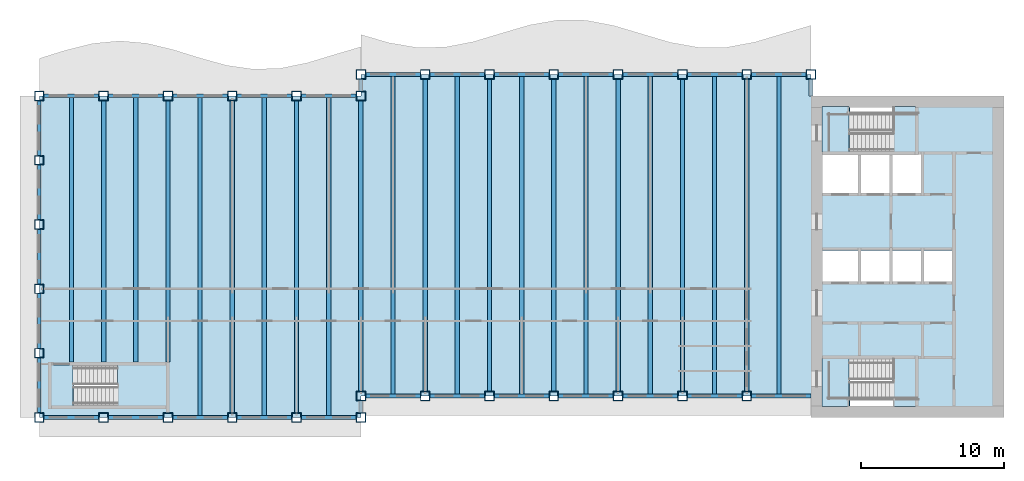
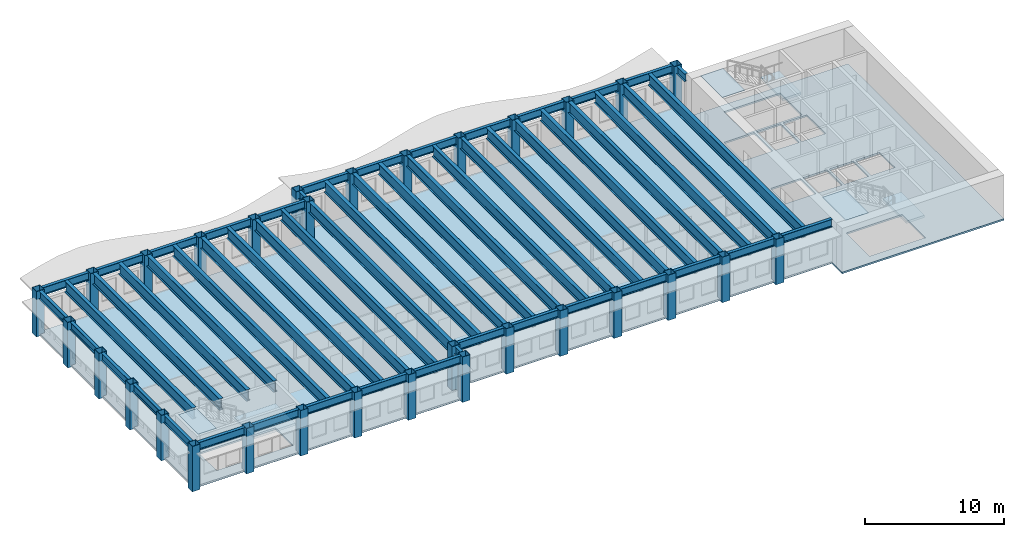
# One storey, part 1 of 12: 55 beams, 31 columns, 7 slabs, 3 elements without a shape of their own.
"""IFC4 building model written with IfcOpenShell, lengths in metres."""

from ifc_helpers import new_model, si_unit, direction, frame, origin, origin_2d, place, context, subcontext, project, spatial, polyline, hollow_rectangle, i_section, outline, extrude, material, layer, layer_set, material_profile, profile_set, type_object, element, aggregate, save


model = new_model("IFC4")

# Units and contexts
model_context = context("Model", 3, precision=1e-05, world=origin(), true_north=direction((0.0, 1.0)))
body_context = subcontext(model_context, "Body", "Model", "MODEL_VIEW")
ifc_project = project(units=[si_unit("LENGTHUNIT", "METRE"), si_unit("AREAUNIT", "SQUARE_METRE"), si_unit("VOLUMEUNIT", "CUBIC_METRE"), si_unit("PLANEANGLEUNIT", "RADIAN"), si_unit("MASSUNIT", "GRAM", prefix="KILO")], contexts=[model_context])

# Site, building, storey
site_placement = place(None, origin())
site = spatial("IfcSite", under=ifc_project, at=site_placement, CompositionType="ELEMENT")
building_placement = place(site_placement, origin())
building = spatial("IfcBuilding", under=site, at=building_placement, Name="Sennacour Bend Tower", CompositionType="ELEMENT")
storey_placement = place(building_placement, frame((0.0, 0.0, 269.0)))
storey = spatial("IfcBuildingStorey", under=building, at=storey_placement, Name="L62", CompositionType="ELEMENT", Elevation=269.0)

# Columns
ifc_material_1 = material(Name="Steel ASTM A572 Grade 50", Category="steel")
ifc_material_profile_1 = material_profile(ifc_material_1, hollow_rectangle(XDim=0.64990234375, YDim=0.64990234375, WallThickness=0.031982421875, at=origin_2d()), Name="Steel ASTM A572 Grade 50", Category="steel")
ifc_profile_set_1 = profile_set([ifc_material_profile_1], Name="Steel ASTM A572 Grade 50")
column_type = type_object("IfcColumnType", Name="Box column 650", PredefinedType="COLUMN", material=ifc_profile_set_1)
for number, where, z_axis, x_axis, name in (
    (1, (0.0, 0.0, -0.14990234375), (0.0, 0.0, 1.0), (1.0, 0.0, 0.0), "Perimeter column C5 L62-001"),
    (2, (0.0, 4.5, -0.14990234375), (0.0, 0.0, 1.0), (1.0, 0.0, 0.0), "Perimeter column C5 L62-002"),
    (3, (0.0, 9.0, -0.14990234375), (0.0, 0.0, 1.0), (1.0, 0.0, 0.0), "Perimeter column C5 L62-003"),
    (4, (0.0, 13.5, -0.14990234375), (0.0, 0.0, 1.0), (1.0, 0.0, 0.0), "Perimeter column C5 L62-004"),
    (5, (0.0, 18.0, -0.14990234375), (0.0, 0.0, 1.0), (1.0, 0.0, 0.0), "Perimeter column C5 L62-005"),
    (6, (0.0, 22.5, -0.14990234375), (0.0, 0.0, 1.0), (1.0, 0.0, 0.0), "Perimeter column C5 L62-006"),
    (7, (4.5, 0.0, -0.14990234375), (0.0, 0.0, 1.0), (1.0, 0.0, 0.0), "Perimeter column C5 L62-007"),
    (8, (4.5, 22.5, -0.14990234375), (0.0, 0.0, 1.0), (1.0, 0.0, 0.0), "Perimeter column C5 L62-008"),
    (9, (9.0, 0.0, -0.14990234375), (0.0, 0.0, 1.0), (1.0, 0.0, 0.0), "Perimeter column C5 L62-009"),
    (10, (9.0, 22.5, -0.14990234375), (0.0, 0.0, 1.0), (1.0, 0.0, 0.0), "Perimeter column C5 L62-010"),
    (11, (13.5, 0.0, -0.14990234375), (0.0, 0.0, 1.0), (1.0, 0.0, 0.0), "Perimeter column C5 L62-011"),
    (12, (13.5, 22.5, -0.14990234375), (0.0, 0.0, 1.0), (1.0, 0.0, 0.0), "Perimeter column C5 L62-012"),
    (13, (18.0, 0.0, -0.14990234375), (0.0, 0.0, 1.0), (1.0, 0.0, 0.0), "Perimeter column C5 L62-013"),
    (14, (18.0, 22.5, -0.14990234375), (0.0, 0.0, 1.0), (1.0, 0.0, 0.0), "Perimeter column C5 L62-014"),
    (15, (22.5, 0.0, -0.14990234375), (0.0, 0.0, 1.0), (1.0, 0.0, 0.0), "Perimeter column C5 L62-015"),
    (16, (22.5, 1.5, -0.14990234375), (0.0, 0.0, 1.0), (1.0, 0.0, 0.0), "Perimeter column C5 L62-016"),
    (17, (22.5, 22.5, -0.14990234375), (0.0, 0.0, 1.0), (1.0, 0.0, 0.0), "Perimeter column C5 L62-017"),
    (18, (22.5, 24.0, -0.14990234375), (0.0, 0.0, 1.0), (1.0, 0.0, 0.0), "Perimeter column C5 L62-018"),
    (19, (27.0, 1.5, -0.14990234375), (0.0, 0.0, 1.0), (1.0, 0.0, 0.0), "Perimeter column C5 L62-019"),
    (20, (27.0, 24.0, -0.14990234375), (0.0, 0.0, 1.0), (1.0, 0.0, 0.0), "Perimeter column C5 L62-020"),
    (21, (31.5, 1.5, -0.14990234375), (0.0, 0.0, 1.0), (1.0, 0.0, 0.0), "Perimeter column C5 L62-021"),
    (22, (31.5, 24.0, -0.14990234375), (0.0, 0.0, 1.0), (1.0, 0.0, 0.0), "Perimeter column C5 L62-022"),
    (23, (36.0, 1.5, -0.14990234375), (0.0, 0.0, 1.0), (1.0, 0.0, 0.0), "Perimeter column C5 L62-023"),
    (24, (36.0, 24.0, -0.14990234375), (0.0, 0.0, 1.0), (1.0, 0.0, 0.0), "Perimeter column C5 L62-024"),
    (25, (40.5, 1.5, -0.14990234375), (0.0, 0.0, 1.0), (1.0, 0.0, 0.0), "Perimeter column C5 L62-025"),
    (26, (40.5, 24.0, -0.14990234375), (0.0, 0.0, 1.0), (1.0, 0.0, 0.0), "Perimeter column C5 L62-026"),
    (27, (45.0, 1.5, -0.14990234375), (0.0, 0.0, 1.0), (1.0, 0.0, 0.0), "Perimeter column C5 L62-027"),
    (28, (45.0, 24.0, -0.14990234375), (0.0, 0.0, 1.0), (1.0, 0.0, 0.0), "Perimeter column C5 L62-028"),
    (29, (49.5, 1.5, -0.14990234375), (0.0, 0.0, 1.0), (1.0, 0.0, 0.0), "Perimeter column C5 L62-029"),
    (30, (49.5, 24.0, -0.14990234375), (0.0, 0.0, 1.0), (1.0, 0.0, 0.0), "Perimeter column C5 L62-030"),
    (31, (54.0, 24.0, -0.14990234375), (0.0, 0.0, 1.0), (1.0, 0.0, 0.0), "Perimeter column C5 L62-031"),
):
    element("IfcColumn", number, at=place(storey_placement, frame(where, z_axis=z_axis, x_axis=x_axis)), inside=storey, type_object=column_type, Name=name, PredefinedType="COLUMN", context=body_context, shape_type="SweptSolid", body=[
        extrude(hollow_rectangle(XDim=0.64990234375, YDim=0.64990234375, WallThickness=0.031982421875, at=origin_2d()), origin(), (0.0, 0.0, 1.0), 4.0),
    ])

# Beams
ifc_material_2 = material(Name="Steel ASTM A992 Grade 50", Category="steel")
ifc_material_profile_2 = material_profile(ifc_material_2, i_section(OverallWidth=0.300048828125, OverallDepth=0.97998046875, WebThickness=0.0166015625, FlangeThickness=0.026123046875, FilletRadius=0.02978515625, at=origin_2d()), Name="Steel ASTM A992 Grade 50", Category="steel")
ifc_profile_set_2 = profile_set([ifc_material_profile_2], Name="Steel ASTM A992 Grade 50")
beam_type_1 = type_object("IfcBeamType", Name="Floor beam W1000X249", PredefinedType="BEAM", material=ifc_profile_set_2)
beam_1_placement = place(storey_placement, frame((2.25, 3.875, 3.360107421875), z_axis=(0.0, 1.0, 0.0), x_axis=(-1.0, 0.0, 0.0)))
element("IfcBeam", 32, at=beam_1_placement, inside=storey, type_object=beam_type_1, Name="Floor beam FBM2 L63-001", PredefinedType="BEAM", context=body_context, shape_type="SweptSolid", body=[
    extrude(i_section(OverallWidth=0.300048828125, OverallDepth=0.97998046875, WebThickness=0.0166015625, FlangeThickness=0.026123046875, FilletRadius=0.02978515625, at=origin_2d()), origin(), (0.0, 0.0, 1.0), 18.498046875),
])
beam_2_placement = place(storey_placement, frame((4.5, 3.875, 3.360107421875), z_axis=(0.0, 1.0, 0.0), x_axis=(-1.0, 0.0, 0.0)))
element("IfcBeam", 33, at=beam_2_placement, inside=storey, type_object=beam_type_1, Name="Floor beam FBM2 L63-002", PredefinedType="BEAM", context=body_context, shape_type="SweptSolid", body=[
    extrude(i_section(OverallWidth=0.300048828125, OverallDepth=0.97998046875, WebThickness=0.0166015625, FlangeThickness=0.026123046875, FilletRadius=0.02978515625, at=origin_2d()), origin(), (0.0, 0.0, 1.0), 18.300048828125),
])
beam_3_placement = place(storey_placement, frame((6.75, 3.875, 3.360107421875), z_axis=(0.0, 1.0, 0.0), x_axis=(-1.0, 0.0, 0.0)))
element("IfcBeam", 34, at=beam_3_placement, inside=storey, type_object=beam_type_1, Name="Floor beam FBM2 L63-003", PredefinedType="BEAM", context=body_context, shape_type="SweptSolid", body=[
    extrude(i_section(OverallWidth=0.300048828125, OverallDepth=0.97998046875, WebThickness=0.0166015625, FlangeThickness=0.026123046875, FilletRadius=0.02978515625, at=origin_2d()), origin(), (0.0, 0.0, 1.0), 18.498046875),
])
beam_4_placement = place(storey_placement, frame((9.0, 3.875, 3.360107421875), z_axis=(0.0, 1.0, 0.0), x_axis=(-1.0, 0.0, 0.0)))
element("IfcBeam", 35, at=beam_4_placement, inside=storey, type_object=beam_type_1, Name="Floor beam FBM2 L63-004", PredefinedType="BEAM", context=body_context, shape_type="SweptSolid", body=[
    extrude(i_section(OverallWidth=0.300048828125, OverallDepth=0.97998046875, WebThickness=0.0166015625, FlangeThickness=0.026123046875, FilletRadius=0.02978515625, at=origin_2d()), origin(), (0.0, 0.0, 1.0), 18.300048828125),
])
beam_5_placement = place(storey_placement, frame((11.25, 0.126953125, 3.360107421875), z_axis=(0.0, 1.0, 0.0), x_axis=(-1.0, 0.0, 0.0)))
element("IfcBeam", 36, at=beam_5_placement, inside=storey, type_object=beam_type_1, Name="Floor beam FBM2 L63-005", PredefinedType="BEAM", context=body_context, shape_type="SweptSolid", body=[
    extrude(i_section(OverallWidth=0.300048828125, OverallDepth=0.97998046875, WebThickness=0.0166015625, FlangeThickness=0.026123046875, FilletRadius=0.02978515625, at=origin_2d()), origin(), (0.0, 0.0, 1.0), 22.24609375),
])
beam_6_placement = place(storey_placement, frame((13.5, 0.324951171875, 3.360107421875), z_axis=(0.0, 1.0, 0.0), x_axis=(-1.0, 0.0, 0.0)))
element("IfcBeam", 37, at=beam_6_placement, inside=storey, type_object=beam_type_1, Name="Floor beam FBM2 L63-006", PredefinedType="BEAM", context=body_context, shape_type="SweptSolid", body=[
    extrude(i_section(OverallWidth=0.300048828125, OverallDepth=0.97998046875, WebThickness=0.0166015625, FlangeThickness=0.026123046875, FilletRadius=0.02978515625, at=origin_2d()), origin(), (0.0, 0.0, 1.0), 21.85009765625),
])
beam_7_placement = place(storey_placement, frame((15.75, 0.126953125, 3.360107421875), z_axis=(0.0, 1.0, 0.0), x_axis=(-1.0, 0.0, 0.0)))
element("IfcBeam", 38, at=beam_7_placement, inside=storey, type_object=beam_type_1, Name="Floor beam FBM2 L63-007", PredefinedType="BEAM", context=body_context, shape_type="SweptSolid", body=[
    extrude(i_section(OverallWidth=0.300048828125, OverallDepth=0.97998046875, WebThickness=0.0166015625, FlangeThickness=0.026123046875, FilletRadius=0.02978515625, at=origin_2d()), origin(), (0.0, 0.0, 1.0), 22.24609375),
])
beam_8_placement = place(storey_placement, frame((18.0, 0.324951171875, 3.360107421875), z_axis=(0.0, 1.0, 0.0), x_axis=(-1.0, 0.0, 0.0)))
element("IfcBeam", 39, at=beam_8_placement, inside=storey, type_object=beam_type_1, Name="Floor beam FBM2 L63-008", PredefinedType="BEAM", context=body_context, shape_type="SweptSolid", body=[
    extrude(i_section(OverallWidth=0.300048828125, OverallDepth=0.97998046875, WebThickness=0.0166015625, FlangeThickness=0.026123046875, FilletRadius=0.02978515625, at=origin_2d()), origin(), (0.0, 0.0, 1.0), 21.85009765625),
])
beam_9_placement = place(storey_placement, frame((20.25, 0.126953125, 3.360107421875), z_axis=(0.0, 1.0, 0.0), x_axis=(-1.0, 0.0, 0.0)))
element("IfcBeam", 40, at=beam_9_placement, inside=storey, type_object=beam_type_1, Name="Floor beam FBM2 L63-009", PredefinedType="BEAM", context=body_context, shape_type="SweptSolid", body=[
    extrude(i_section(OverallWidth=0.300048828125, OverallDepth=0.97998046875, WebThickness=0.0166015625, FlangeThickness=0.026123046875, FilletRadius=0.02978515625, at=origin_2d()), origin(), (0.0, 0.0, 1.0), 22.24609375),
])
beam_10_placement = place(storey_placement, frame((22.5, 1.824951171875, 3.360107421875), z_axis=(0.0, 1.0, 0.0), x_axis=(-1.0, 0.0, 0.0)))
element("IfcBeam", 41, at=beam_10_placement, inside=storey, type_object=beam_type_1, Name="Floor beam FBM2 L63-010", PredefinedType="BEAM", context=body_context, shape_type="SweptSolid", body=[
    extrude(i_section(OverallWidth=0.300048828125, OverallDepth=0.97998046875, WebThickness=0.0166015625, FlangeThickness=0.026123046875, FilletRadius=0.02978515625, at=origin_2d()), origin(), (0.0, 0.0, 1.0), 20.35009765625),
])
beam_11_placement = place(storey_placement, frame((24.75, 1.626953125, 3.360107421875), z_axis=(0.0, 1.0, 0.0), x_axis=(-1.0, 0.0, 0.0)))
element("IfcBeam", 42, at=beam_11_placement, inside=storey, type_object=beam_type_1, Name="Floor beam FBM2 L63-011", PredefinedType="BEAM", context=body_context, shape_type="SweptSolid", body=[
    extrude(i_section(OverallWidth=0.300048828125, OverallDepth=0.97998046875, WebThickness=0.0166015625, FlangeThickness=0.026123046875, FilletRadius=0.02978515625, at=origin_2d()), origin(), (0.0, 0.0, 1.0), 22.24609375),
])
beam_12_placement = place(storey_placement, frame((27.0, 1.824951171875, 3.360107421875), z_axis=(0.0, 1.0, 0.0), x_axis=(-1.0, 0.0, 0.0)))
element("IfcBeam", 43, at=beam_12_placement, inside=storey, type_object=beam_type_1, Name="Floor beam FBM2 L63-012", PredefinedType="BEAM", context=body_context, shape_type="SweptSolid", body=[
    extrude(i_section(OverallWidth=0.300048828125, OverallDepth=0.97998046875, WebThickness=0.0166015625, FlangeThickness=0.026123046875, FilletRadius=0.02978515625, at=origin_2d()), origin(), (0.0, 0.0, 1.0), 21.85009765625),
])
beam_13_placement = place(storey_placement, frame((29.25, 1.626953125, 3.360107421875), z_axis=(0.0, 1.0, 0.0), x_axis=(-1.0, 0.0, 0.0)))
element("IfcBeam", 44, at=beam_13_placement, inside=storey, type_object=beam_type_1, Name="Floor beam FBM2 L63-013", PredefinedType="BEAM", context=body_context, shape_type="SweptSolid", body=[
    extrude(i_section(OverallWidth=0.300048828125, OverallDepth=0.97998046875, WebThickness=0.0166015625, FlangeThickness=0.026123046875, FilletRadius=0.02978515625, at=origin_2d()), origin(), (0.0, 0.0, 1.0), 22.24609375),
])
beam_14_placement = place(storey_placement, frame((31.5, 1.824951171875, 3.360107421875), z_axis=(0.0, 1.0, 0.0), x_axis=(-1.0, 0.0, 0.0)))
element("IfcBeam", 45, at=beam_14_placement, inside=storey, type_object=beam_type_1, Name="Floor beam FBM2 L63-014", PredefinedType="BEAM", context=body_context, shape_type="SweptSolid", body=[
    extrude(i_section(OverallWidth=0.300048828125, OverallDepth=0.97998046875, WebThickness=0.0166015625, FlangeThickness=0.026123046875, FilletRadius=0.02978515625, at=origin_2d()), origin(), (0.0, 0.0, 1.0), 21.85009765625),
])
beam_15_placement = place(storey_placement, frame((33.75, 1.626953125, 3.360107421875), z_axis=(0.0, 1.0, 0.0), x_axis=(-1.0, 0.0, 0.0)))
element("IfcBeam", 46, at=beam_15_placement, inside=storey, type_object=beam_type_1, Name="Floor beam FBM2 L63-015", PredefinedType="BEAM", context=body_context, shape_type="SweptSolid", body=[
    extrude(i_section(OverallWidth=0.300048828125, OverallDepth=0.97998046875, WebThickness=0.0166015625, FlangeThickness=0.026123046875, FilletRadius=0.02978515625, at=origin_2d()), origin(), (0.0, 0.0, 1.0), 22.24609375),
])
beam_16_placement = place(storey_placement, frame((36.0, 1.824951171875, 3.360107421875), z_axis=(0.0, 1.0, 0.0), x_axis=(-1.0, 0.0, 0.0)))
element("IfcBeam", 47, at=beam_16_placement, inside=storey, type_object=beam_type_1, Name="Floor beam FBM2 L63-016", PredefinedType="BEAM", context=body_context, shape_type="SweptSolid", body=[
    extrude(i_section(OverallWidth=0.300048828125, OverallDepth=0.97998046875, WebThickness=0.0166015625, FlangeThickness=0.026123046875, FilletRadius=0.02978515625, at=origin_2d()), origin(), (0.0, 0.0, 1.0), 21.85009765625),
])
beam_17_placement = place(storey_placement, frame((38.25, 1.626953125, 3.360107421875), z_axis=(0.0, 1.0, 0.0), x_axis=(-1.0, 0.0, 0.0)))
element("IfcBeam", 48, at=beam_17_placement, inside=storey, type_object=beam_type_1, Name="Floor beam FBM2 L63-017", PredefinedType="BEAM", context=body_context, shape_type="SweptSolid", body=[
    extrude(i_section(OverallWidth=0.300048828125, OverallDepth=0.97998046875, WebThickness=0.0166015625, FlangeThickness=0.026123046875, FilletRadius=0.02978515625, at=origin_2d()), origin(), (0.0, 0.0, 1.0), 22.24609375),
])
beam_18_placement = place(storey_placement, frame((40.5, 1.824951171875, 3.360107421875), z_axis=(0.0, 1.0, 0.0), x_axis=(-1.0, 0.0, 0.0)))
element("IfcBeam", 49, at=beam_18_placement, inside=storey, type_object=beam_type_1, Name="Floor beam FBM2 L63-018", PredefinedType="BEAM", context=body_context, shape_type="SweptSolid", body=[
    extrude(i_section(OverallWidth=0.300048828125, OverallDepth=0.97998046875, WebThickness=0.0166015625, FlangeThickness=0.026123046875, FilletRadius=0.02978515625, at=origin_2d()), origin(), (0.0, 0.0, 1.0), 21.85009765625),
])
beam_19_placement = place(storey_placement, frame((42.75, 1.626953125, 3.360107421875), z_axis=(0.0, 1.0, 0.0), x_axis=(-1.0, 0.0, 0.0)))
element("IfcBeam", 50, at=beam_19_placement, inside=storey, type_object=beam_type_1, Name="Floor beam FBM2 L63-019", PredefinedType="BEAM", context=body_context, shape_type="SweptSolid", body=[
    extrude(i_section(OverallWidth=0.300048828125, OverallDepth=0.97998046875, WebThickness=0.0166015625, FlangeThickness=0.026123046875, FilletRadius=0.02978515625, at=origin_2d()), origin(), (0.0, 0.0, 1.0), 22.24609375),
])
beam_20_placement = place(storey_placement, frame((45.0, 1.824951171875, 3.360107421875), z_axis=(0.0, 1.0, 0.0), x_axis=(-1.0, 0.0, 0.0)))
element("IfcBeam", 51, at=beam_20_placement, inside=storey, type_object=beam_type_1, Name="Floor beam FBM2 L63-020", PredefinedType="BEAM", context=body_context, shape_type="SweptSolid", body=[
    extrude(i_section(OverallWidth=0.300048828125, OverallDepth=0.97998046875, WebThickness=0.0166015625, FlangeThickness=0.026123046875, FilletRadius=0.02978515625, at=origin_2d()), origin(), (0.0, 0.0, 1.0), 21.85009765625),
])
beam_21_placement = place(storey_placement, frame((47.25, 1.626953125, 3.360107421875), z_axis=(0.0, 1.0, 0.0), x_axis=(-1.0, 0.0, 0.0)))
element("IfcBeam", 52, at=beam_21_placement, inside=storey, type_object=beam_type_1, Name="Floor beam FBM2 L63-021", PredefinedType="BEAM", context=body_context, shape_type="SweptSolid", body=[
    extrude(i_section(OverallWidth=0.300048828125, OverallDepth=0.97998046875, WebThickness=0.0166015625, FlangeThickness=0.026123046875, FilletRadius=0.02978515625, at=origin_2d()), origin(), (0.0, 0.0, 1.0), 22.24609375),
])
beam_22_placement = place(storey_placement, frame((49.5, 1.824951171875, 3.360107421875), z_axis=(0.0, 1.0, 0.0), x_axis=(-1.0, 0.0, 0.0)))
element("IfcBeam", 53, at=beam_22_placement, inside=storey, type_object=beam_type_1, Name="Floor beam FBM2 L63-022", PredefinedType="BEAM", context=body_context, shape_type="SweptSolid", body=[
    extrude(i_section(OverallWidth=0.300048828125, OverallDepth=0.97998046875, WebThickness=0.0166015625, FlangeThickness=0.026123046875, FilletRadius=0.02978515625, at=origin_2d()), origin(), (0.0, 0.0, 1.0), 21.85009765625),
])
beam_23_placement = place(storey_placement, frame((51.75, 1.626953125, 3.360107421875), z_axis=(0.0, 1.0, 0.0), x_axis=(-1.0, 0.0, 0.0)))
element("IfcBeam", 54, at=beam_23_placement, inside=storey, type_object=beam_type_1, Name="Floor beam FBM2 L63-023", PredefinedType="BEAM", context=body_context, shape_type="SweptSolid", body=[
    extrude(i_section(OverallWidth=0.300048828125, OverallDepth=0.97998046875, WebThickness=0.0166015625, FlangeThickness=0.026123046875, FilletRadius=0.02978515625, at=origin_2d()), origin(), (0.0, 0.0, 1.0), 22.24609375),
])
ifc_material_profile_3 = material_profile(ifc_material_2, i_section(OverallWidth=0.25390625, OverallDepth=0.68798828125, WebThickness=0.01318359375, FlangeThickness=0.02099609375, FilletRadius=0.01513671875, at=origin_2d()), Name="Steel ASTM A992 Grade 50", Category="steel")
ifc_profile_set_3 = profile_set([ifc_material_profile_3], Name="Steel ASTM A992 Grade 50")
beam_type_2 = type_object("IfcBeamType", Name="Spandrel beam W690X152", PredefinedType="SPANDREL", material=ifc_profile_set_3)
for number, where, z_axis, x_axis, name in (
    (55, (22.175048828125, 0.0, 3.506103515625), (-1.0, 0.0, 0.0), (0.0, -1.0, 0.0), "Spandrel beam SP6 L63-001"),
    (56, (17.675048828125, 0.0, 3.506103515625), (-1.0, 0.0, 0.0), (0.0, -1.0, 0.0), "Spandrel beam SP6 L63-002"),
    (57, (13.175048828125, 0.0, 3.506103515625), (-1.0, 0.0, 0.0), (0.0, -1.0, 0.0), "Spandrel beam SP6 L63-003"),
    (58, (8.675048828125, 0.0, 3.506103515625), (-1.0, 0.0, 0.0), (0.0, -1.0, 0.0), "Spandrel beam SP6 L63-004"),
    (59, (4.175048828125, 0.0, 3.506103515625), (-1.0, 0.0, 0.0), (0.0, -1.0, 0.0), "Spandrel beam SP6 L63-005"),
    (60, (0.0, 0.324951171875, 3.506103515625), (0.0, 1.0, 0.0), (-1.0, 0.0, 0.0), "Spandrel beam SP6 L63-006"),
    (61, (0.0, 4.824951171875, 3.506103515625), (0.0, 1.0, 0.0), (-1.0, 0.0, 0.0), "Spandrel beam SP6 L63-007"),
    (62, (0.0, 9.324951171875, 3.506103515625), (0.0, 1.0, 0.0), (-1.0, 0.0, 0.0), "Spandrel beam SP6 L63-008"),
    (63, (0.0, 13.824951171875, 3.506103515625), (0.0, 1.0, 0.0), (-1.0, 0.0, 0.0), "Spandrel beam SP6 L63-009"),
    (64, (0.0, 18.324951171875, 3.506103515625), (0.0, 1.0, 0.0), (-1.0, 0.0, 0.0), "Spandrel beam SP6 L63-010"),
    (65, (0.324951171875, 22.5, 3.506103515625), (1.0, 0.0, 0.0), (0.0, 1.0, 0.0), "Spandrel beam SP6 L63-011"),
    (66, (4.824951171875, 22.5, 3.506103515625), (1.0, 0.0, 0.0), (0.0, 1.0, 0.0), "Spandrel beam SP6 L63-012"),
    (67, (9.324951171875, 22.5, 3.506103515625), (1.0, 0.0, 0.0), (0.0, 1.0, 0.0), "Spandrel beam SP6 L63-013"),
    (68, (13.824951171875, 22.5, 3.506103515625), (1.0, 0.0, 0.0), (0.0, 1.0, 0.0), "Spandrel beam SP6 L63-014"),
    (69, (18.324951171875, 22.5, 3.506103515625), (1.0, 0.0, 0.0), (0.0, 1.0, 0.0), "Spandrel beam SP6 L63-015"),
):
    element("IfcBeam", number, at=place(storey_placement, frame(where, z_axis=z_axis, x_axis=x_axis)), inside=storey, type_object=beam_type_2, Name=name, PredefinedType="SPANDREL", context=body_context, shape_type="SweptSolid", body=[
        extrude(i_section(OverallWidth=0.25390625, OverallDepth=0.68798828125, WebThickness=0.01318359375, FlangeThickness=0.02099609375, FilletRadius=0.01513671875, at=origin_2d()), origin(), (0.0, 0.0, 1.0), 3.85009765625),
    ])
beam_24_placement = place(storey_placement, frame((22.5, 22.824951171875, 3.506103515625), z_axis=(0.0, 1.0, 0.0), x_axis=(-1.0, 0.0, 0.0)))
element("IfcBeam", 70, at=beam_24_placement, inside=storey, type_object=beam_type_2, Name="Spandrel beam SP6 L63-016", PredefinedType="SPANDREL", context=body_context, shape_type="SweptSolid", body=[
    extrude(i_section(OverallWidth=0.25390625, OverallDepth=0.68798828125, WebThickness=0.01318359375, FlangeThickness=0.02099609375, FilletRadius=0.01513671875, at=origin_2d()), origin(), (0.0, 0.0, 1.0), 0.85009765625),
])
for number, where, z_axis, x_axis, name in (
    (71, (22.824951171875, 24.0, 3.506103515625), (1.0, 0.0, 0.0), (0.0, 1.0, 0.0), "Spandrel beam SP6 L63-017"),
    (72, (27.324951171875, 24.0, 3.506103515625), (1.0, 0.0, 0.0), (0.0, 1.0, 0.0), "Spandrel beam SP6 L63-018"),
    (73, (31.824951171875, 24.0, 3.506103515625), (1.0, 0.0, 0.0), (0.0, 1.0, 0.0), "Spandrel beam SP6 L63-019"),
    (74, (36.324951171875, 24.0, 3.506103515625), (1.0, 0.0, 0.0), (0.0, 1.0, 0.0), "Spandrel beam SP6 L63-020"),
    (75, (40.824951171875, 24.0, 3.506103515625), (1.0, 0.0, 0.0), (0.0, 1.0, 0.0), "Spandrel beam SP6 L63-021"),
    (76, (45.324951171875, 24.0, 3.506103515625), (1.0, 0.0, 0.0), (0.0, 1.0, 0.0), "Spandrel beam SP6 L63-022"),
    (77, (49.824951171875, 24.0, 3.506103515625), (1.0, 0.0, 0.0), (0.0, 1.0, 0.0), "Spandrel beam SP6 L63-023"),
):
    element("IfcBeam", number, at=place(storey_placement, frame(where, z_axis=z_axis, x_axis=x_axis)), inside=storey, type_object=beam_type_2, Name=name, PredefinedType="SPANDREL", context=body_context, shape_type="SweptSolid", body=[
        extrude(i_section(OverallWidth=0.25390625, OverallDepth=0.68798828125, WebThickness=0.01318359375, FlangeThickness=0.02099609375, FilletRadius=0.01513671875, at=origin_2d()), origin(), (0.0, 0.0, 1.0), 3.85009765625),
    ])
beam_25_placement = place(storey_placement, frame((54.0, 23.675048828125, 3.506103515625), z_axis=(0.0, -1.0, 0.0), x_axis=(1.0, 0.0, 0.0)))
element("IfcBeam", 78, at=beam_25_placement, inside=storey, type_object=beam_type_2, Name="Spandrel beam SP6 L63-024", PredefinedType="SPANDREL", context=body_context, shape_type="SweptSolid", body=[
    extrude(i_section(OverallWidth=0.25390625, OverallDepth=0.68798828125, WebThickness=0.01318359375, FlangeThickness=0.02099609375, FilletRadius=0.01513671875, at=origin_2d()), origin(), (0.0, 0.0, 1.0), 1.175048828125),
])
beam_26_placement = place(storey_placement, frame((54.0, 1.5, 3.506103515625), z_axis=(-1.0, 0.0, 0.0), x_axis=(0.0, -1.0, 0.0)))
element("IfcBeam", 79, at=beam_26_placement, inside=storey, type_object=beam_type_2, Name="Spandrel beam SP6 L63-025", PredefinedType="SPANDREL", context=body_context, shape_type="SweptSolid", body=[
    extrude(i_section(OverallWidth=0.25390625, OverallDepth=0.68798828125, WebThickness=0.01318359375, FlangeThickness=0.02099609375, FilletRadius=0.01513671875, at=origin_2d()), origin(), (0.0, 0.0, 1.0), 4.175048828125),
])
for number, where, z_axis, x_axis, name in (
    (80, (49.175048828125, 1.5, 3.506103515625), (-1.0, 0.0, 0.0), (0.0, -1.0, 0.0), "Spandrel beam SP6 L63-026"),
    (81, (44.675048828125, 1.5, 3.506103515625), (-1.0, 0.0, 0.0), (0.0, -1.0, 0.0), "Spandrel beam SP6 L63-027"),
    (82, (40.175048828125, 1.5, 3.506103515625), (-1.0, 0.0, 0.0), (0.0, -1.0, 0.0), "Spandrel beam SP6 L63-028"),
    (83, (35.675048828125, 1.5, 3.506103515625), (-1.0, 0.0, 0.0), (0.0, -1.0, 0.0), "Spandrel beam SP6 L63-029"),
    (84, (31.175048828125, 1.5, 3.506103515625), (-1.0, 0.0, 0.0), (0.0, -1.0, 0.0), "Spandrel beam SP6 L63-030"),
    (85, (26.675048828125, 1.5, 3.506103515625), (-1.0, 0.0, 0.0), (0.0, -1.0, 0.0), "Spandrel beam SP6 L63-031"),
):
    element("IfcBeam", number, at=place(storey_placement, frame(where, z_axis=z_axis, x_axis=x_axis)), inside=storey, type_object=beam_type_2, Name=name, PredefinedType="SPANDREL", context=body_context, shape_type="SweptSolid", body=[
        extrude(i_section(OverallWidth=0.25390625, OverallDepth=0.68798828125, WebThickness=0.01318359375, FlangeThickness=0.02099609375, FilletRadius=0.01513671875, at=origin_2d()), origin(), (0.0, 0.0, 1.0), 3.85009765625),
    ])
beam_27_placement = place(storey_placement, frame((22.5, 1.175048828125, 3.506103515625), z_axis=(0.0, -1.0, 0.0), x_axis=(1.0, 0.0, 0.0)))
element("IfcBeam", 86, at=beam_27_placement, inside=storey, type_object=beam_type_2, Name="Spandrel beam SP6 L63-032", PredefinedType="SPANDREL", context=body_context, shape_type="SweptSolid", body=[
    extrude(i_section(OverallWidth=0.25390625, OverallDepth=0.68798828125, WebThickness=0.01318359375, FlangeThickness=0.02099609375, FilletRadius=0.01513671875, at=origin_2d()), origin(), (0.0, 0.0, 1.0), 0.85009765625),
])

# Slabs
ifc_material_3 = material(Name="Concrete C30/37", Category="concrete")
ifc_layer_1 = layer(ifc_material_3, 0.14990234375, Name="Concrete C30/37", Category="concrete")
ifc_layer_set_1 = layer_set([ifc_layer_1], Name="Concrete C30/37")
slab_type_1 = type_object("IfcSlabType", Name="Floor slab 150", PredefinedType="FLOOR", material=ifc_layer_set_1)
slab_1_placement = place(storey_placement, frame((0.0, 0.0, -0.14990234375)))
element("IfcSlab", 87, at=slab_1_placement, inside=storey, type_object=slab_type_1, Name="Floor slab L62-01", PredefinedType="FLOOR", context=body_context, shape_type="SweptSolid", body=[
    extrude(outline(polyline([(0.0, 0.0), (0.0, 22.5), (22.5, 22.5), (22.5, 24.0), (54.0, 24.0), (54.0, 22.5), (67.5, 22.5), (67.5, 0.0), (54.0, 0.0), (54.0, 1.5), (22.5, 1.5), (22.5, 0.0), (0.0, 0.0)]), holes=[polyline([(8.800048828125, 3.5), (2.429931640625, 3.5), (2.429931640625, 0.949951171875), (8.800048828125, 0.949951171875), (8.800048828125, 3.5)]), polyline([(61.39990234375, 4.125), (56.72998046875, 4.125), (56.72998046875, 0.75), (61.39990234375, 0.75), (61.39990234375, 4.125)]), polyline([(57.300048828125, 11.699951171875), (54.800048828125, 11.699951171875), (54.800048828125, 9.5), (57.300048828125, 9.5), (57.300048828125, 11.699951171875)]), polyline([(59.5, 9.5), (59.5, 11.699951171875), (57.5, 11.699951171875), (57.5, 9.5), (59.5, 9.5)]), polyline([(61.699951171875, 9.5), (61.699951171875, 11.699951171875), (59.699951171875, 11.699951171875), (59.699951171875, 9.5), (61.699951171875, 9.5)]), polyline([(63.89990234375, 11.699951171875), (61.89990234375, 11.699951171875), (61.89990234375, 9.5), (63.89990234375, 9.5), (63.89990234375, 11.699951171875)]), polyline([(57.300048828125, 18.39990234375), (54.800048828125, 18.39990234375), (54.800048828125, 15.699951171875), (57.300048828125, 15.699951171875), (57.300048828125, 18.39990234375)]), polyline([(59.5, 18.39990234375), (57.5, 18.39990234375), (57.5, 15.699951171875), (59.5, 15.699951171875), (59.5, 18.39990234375)]), polyline([(61.699951171875, 15.699951171875), (61.699951171875, 18.39990234375), (59.699951171875, 18.39990234375), (59.699951171875, 15.699951171875), (61.699951171875, 15.699951171875)]), polyline([(61.39990234375, 18.574951171875), (61.39990234375, 21.75), (56.72998046875, 21.75), (56.72998046875, 18.574951171875), (61.39990234375, 18.574951171875)])]), origin(), (0.0, 0.0, 1.0), 0.14990234375),
])
ifc_material_4 = material(Name="Concrete C40/50", Category="concrete")
ifc_layer_2 = layer(ifc_material_4, 0.034912109375, Name="Concrete C40/50", Category="concrete")
ifc_layer_set_2 = layer_set([ifc_layer_2], Name="Concrete C40/50")
slab_type_2 = type_object("IfcSlabType", Name="Stair arrival nib 35", PredefinedType="FLOOR", material=ifc_layer_set_2)
slab_2_placement = place(storey_placement, frame((0.0, 0.0, 3.815185546875)))
element("IfcSlab", 88, at=slab_2_placement, inside=storey, type_object=slab_type_2, Name="L62 SA1 stair arrival nib", PredefinedType="FLOOR", context=body_context, shape_type="SweptSolid", body=[
    extrude(outline(polyline([(56.64208984375, 4.125), (54.75, 4.125), (54.75, 0.75), (56.64208984375, 0.75), (56.64208984375, 4.125)])), origin(), (0.0, 0.0, 1.0), 0.034912109375),
])
slab_3_placement = place(storey_placement, frame((0.0, 0.0, 3.815185546875)))
element("IfcSlab", 89, at=slab_3_placement, inside=storey, type_object=slab_type_2, Name="L62 SA2 stair arrival nib", PredefinedType="FLOOR", context=body_context, shape_type="SweptSolid", body=[
    extrude(outline(polyline([(56.64208984375, 21.75), (54.75, 21.75), (54.75, 18.574951171875), (56.64208984375, 18.574951171875), (56.64208984375, 21.75)])), origin(), (0.0, 0.0, 1.0), 0.034912109375),
])
slab_4_placement = place(storey_placement, frame((0.0, 0.0, 3.815185546875)))
element("IfcSlab", 90, at=slab_4_placement, inside=storey, type_object=slab_type_2, Name="L62 SK1 stair arrival nib", PredefinedType="FLOOR", context=body_context, shape_type="SweptSolid", body=[
    extrude(outline(polyline([(2.342041015625, 3.675048828125), (0.800048828125, 3.675048828125), (0.800048828125, 0.800048828125), (2.342041015625, 0.800048828125), (2.342041015625, 3.675048828125)])), origin(), (0.0, 0.0, 1.0), 0.034912109375),
])

# Stair, slab
stair_type = type_object("IfcStairType", Name="ST-DOGLEG", PredefinedType="HALF_TURN_STAIR", material=ifc_material_4)
stair_1_placement = place(storey_placement, origin())
stair_1 = element("IfcStair", 91, at=stair_1_placement, inside=storey, type_object=stair_type, Name="L62 Exit stair A1", PredefinedType="HALF_TURN_STAIR")
ifc_layer_3 = layer(ifc_material_4, 0.199951171875, Name="Concrete C40/50", Category="concrete")
ifc_layer_set_3 = layer_set([ifc_layer_3], Name="Concrete C40/50")
slab_type_3 = type_object("IfcSlabType", Name="Stair landing 200", PredefinedType="LANDING", material=ifc_layer_set_3)
slab_5_placement = place(storey_placement, frame((0.0, 0.0, 1.800048828125)))
slab_5 = element("IfcSlab", 92, at=slab_5_placement, type_object=slab_type_3, Name="SA1 landing 1", PredefinedType="LANDING", context=body_context, shape_type="SweptSolid", body=[
    extrude(outline(polyline([(59.780029296875, 0.75), (61.324951171875, 0.75), (61.324951171875, 4.125), (59.780029296875, 4.125), (59.780029296875, 0.75)])), origin(), (0.0, 0.0, 1.0), 0.199951171875),
])
aggregate(stair_1, [slab_5])

stair_2_placement = place(storey_placement, origin())
stair_2 = element("IfcStair", 93, at=stair_2_placement, inside=storey, type_object=stair_type, Name="L62 Exit stair A2", PredefinedType="HALF_TURN_STAIR")
slab_6_placement = place(storey_placement, frame((0.0, 0.0, 1.800048828125)))
slab_6 = element("IfcSlab", 94, at=slab_6_placement, type_object=slab_type_3, Name="SA2 landing 1", PredefinedType="LANDING", context=body_context, shape_type="SweptSolid", body=[
    extrude(outline(polyline([(59.780029296875, 18.574951171875), (61.324951171875, 18.574951171875), (61.324951171875, 21.75), (59.780029296875, 21.75), (59.780029296875, 18.574951171875)])), origin(), (0.0, 0.0, 1.0), 0.199951171875),
])
aggregate(stair_2, [slab_6])

stair_3_placement = place(storey_placement, origin())
stair_3 = element("IfcStair", 95, at=stair_3_placement, inside=storey, type_object=stair_type, Name="L62 Exit stair K1", PredefinedType="HALF_TURN_STAIR")
slab_7_placement = place(storey_placement, frame((0.0, 0.0, 1.800048828125)))
slab_7 = element("IfcSlab", 96, at=slab_7_placement, type_object=slab_type_3, Name="SK1 landing 1", PredefinedType="LANDING", context=body_context, shape_type="SweptSolid", body=[
    extrude(outline(polyline([(5.47998046875, 0.800048828125), (8.925048828125, 0.800048828125), (8.925048828125, 3.675048828125), (5.47998046875, 3.675048828125), (5.47998046875, 0.800048828125)])), origin(), (0.0, 0.0, 1.0), 0.199951171875),
])
aggregate(stair_3, [slab_7])

save(model, "model.ifc")
